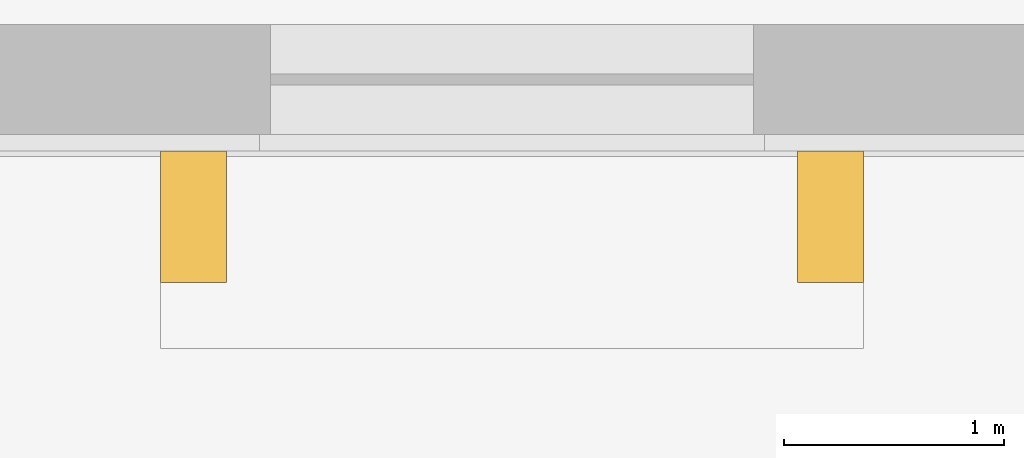
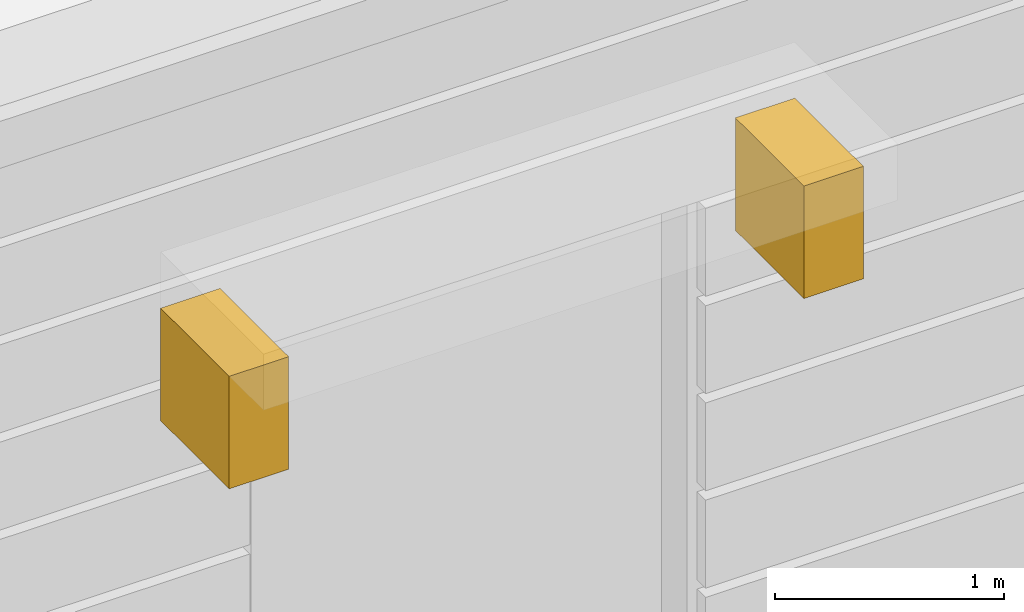
# One storey, part 137 of 139: 2 coverings.
"""IFC4 building model written with IfcOpenShell, lengths in metres."""

from ifc_helpers import new_model, si_unit, direction, frame, origin, origin_2d, place, context, subcontext, project, spatial, rectangle, extrude, material, layer, layer_set, type_object, element, save


model = new_model("IFC4")

# Units and contexts
model_context = context("Model", 3, precision=1e-05, world=origin(), true_north=direction((0.0, 1.0)))
body_context = subcontext(model_context, "Body", "Model", "MODEL_VIEW")
ifc_project = project(units=[si_unit("LENGTHUNIT", "METRE"), si_unit("AREAUNIT", "SQUARE_METRE"), si_unit("VOLUMEUNIT", "CUBIC_METRE"), si_unit("PLANEANGLEUNIT", "RADIAN"), si_unit("MASSUNIT", "GRAM", prefix="KILO")], contexts=[model_context])

# Site, building, storey
site_placement = place(None, origin())
site = spatial("IfcSite", under=ifc_project, at=site_placement, CompositionType="ELEMENT")
building_placement = place(site_placement, origin())
building = spatial("IfcBuilding", under=site, at=building_placement, Name="Verrick Yard Athletic Hall", CompositionType="ELEMENT")
storey_placement = place(building_placement, origin())
storey = spatial("IfcBuildingStorey", under=building, at=storey_placement, Name="L00", CompositionType="ELEMENT", Elevation=0.0)

# Coverings
ifc_material = material(Name="Tyndall-stone-look precast cladding", Category="masonry")
ifc_layer = layer(ifc_material, 0.25)
ifc_layer_set = layer_set([ifc_layer], Name="Stone moulding")
covering_type = type_object("IfcCoveringType", Name="Stone moulding", PredefinedType="MOLDING", material=ifc_layer_set)
for number, where, z_axis, x_axis, name in (
    (1, (92.550048828125, 71.625, 2.5), (0.0, 0.0, 1.0), (1.0, 0.0, 0.0), "Console bracket"),
    (2, (95.449951171875, 71.625, 2.5), (0.0, 0.0, 1.0), (1.0, 0.0, 0.0), "Console bracket"),
):
    element("IfcCovering", number, at=place(storey_placement, frame(where, z_axis=z_axis, x_axis=x_axis)), inside=storey, type_object=covering_type, Name=name, PredefinedType="MOLDING", context=body_context, shape_type="SweptSolid", body=[
        extrude(rectangle(XDim=0.300048828125, YDim=0.60009765625, at=origin_2d()), origin(), (0.0, 0.0, 1.0), 0.60009765625),
    ])

save(model, "model.ifc")
